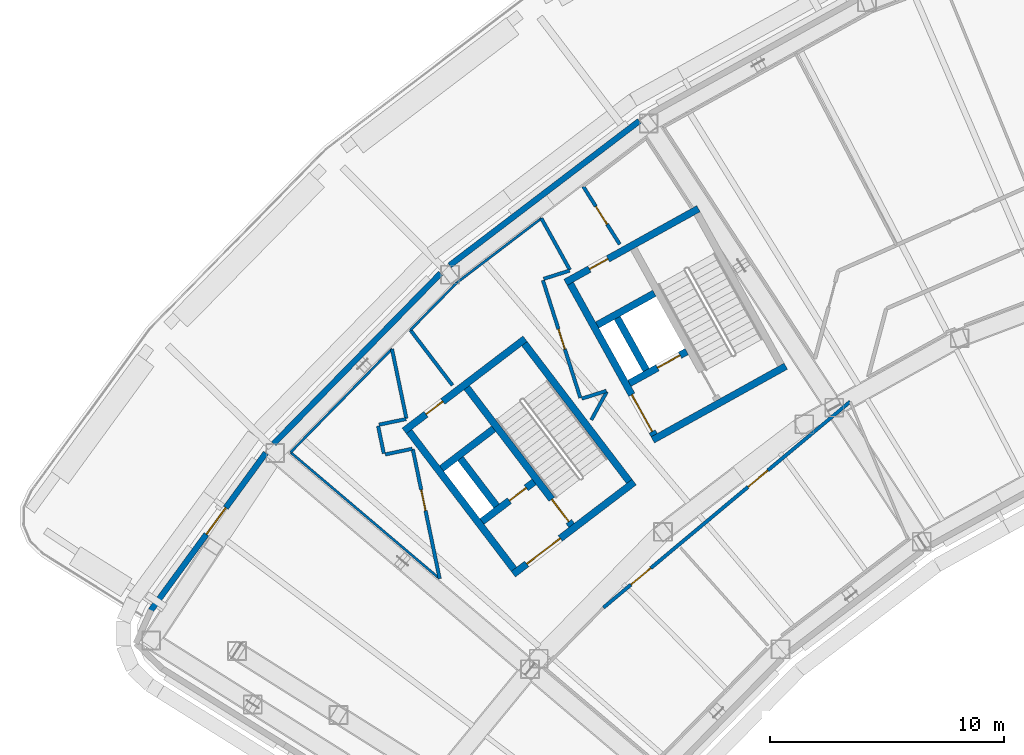
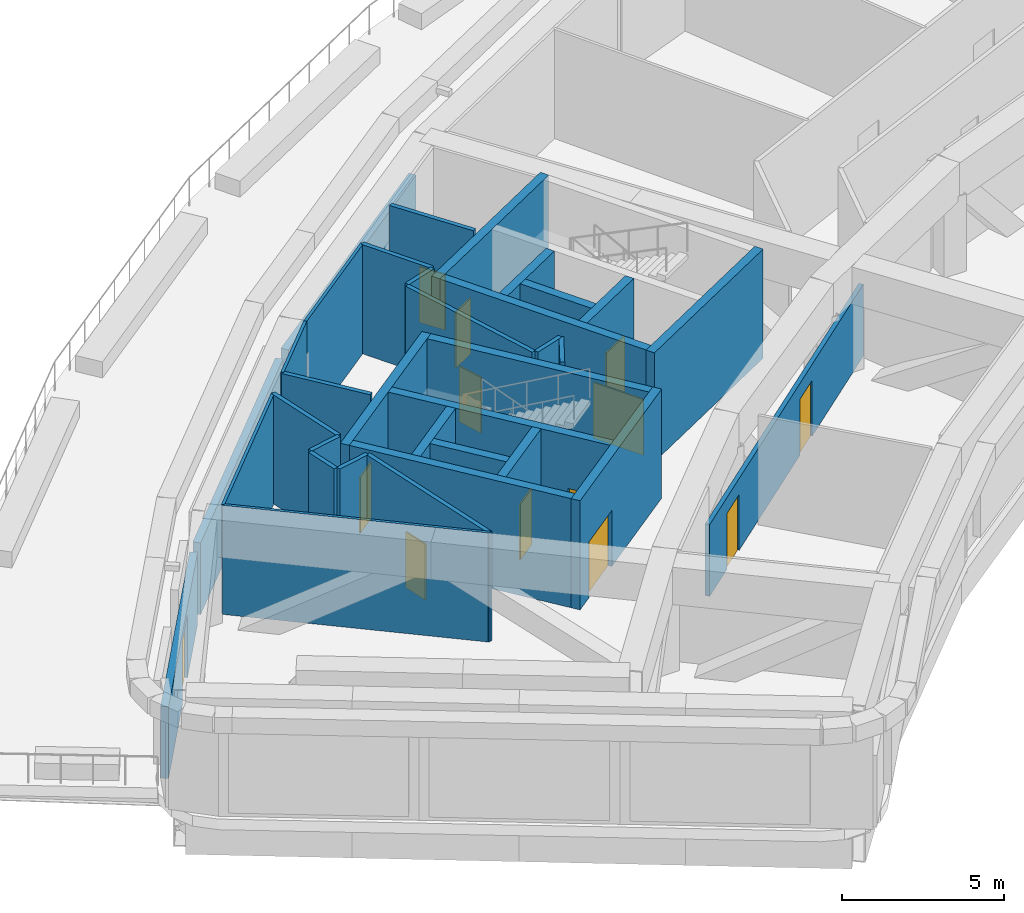
# One storey, part 7 of 24: 34 walls, 13 doors, 13 openings.
"""IFC4 building model written with IfcOpenShell, lengths in metres."""

from ifc_helpers import new_model, si_unit, direction, frame, frame_2d, origin, place, context, subcontext, project, spatial, rectangle, extrude, material, layer, layer_set, type_object, element, fill, save


model = new_model("IFC4")

# Units and contexts
model_context = context("Model", 3, precision=1e-05, world=origin(), true_north=direction((0.0, 1.0)))
body_context = subcontext(model_context, "Body", "Model", "MODEL_VIEW")
ifc_project = project(units=[si_unit("LENGTHUNIT", "METRE"), si_unit("AREAUNIT", "SQUARE_METRE"), si_unit("VOLUMEUNIT", "CUBIC_METRE"), si_unit("PLANEANGLEUNIT", "RADIAN"), si_unit("MASSUNIT", "GRAM", prefix="KILO")], contexts=[model_context])

# Site, building, storey
site_placement = place(None, origin())
site = spatial("IfcSite", under=ifc_project, at=site_placement, CompositionType="ELEMENT")
building_placement = place(site_placement, origin())
building = spatial("IfcBuilding", under=site, at=building_placement, Name="Tuul Gate Civic Tower", CompositionType="ELEMENT")
storey_placement = place(building_placement, frame((0.0, 0.0, 94.800048828125)))
storey = spatial("IfcBuildingStorey", under=building, at=storey_placement, Name="Plant and refuge floor 3", CompositionType="ELEMENT", Elevation=94.800048828125)

# Wall, opening, door
ifc_material_1 = material(Name="Concrete C50/60", Category="concrete")
ifc_layer_1 = layer(ifc_material_1, 0.300048828125)
ifc_layer_set_1 = layer_set([ifc_layer_1], Name="Concrete C50/60")
wall_type_1 = type_object("IfcWallType", Name="Core wall C50/60", PredefinedType="SHEAR", material=ifc_layer_set_1)
wall_1_placement = place(storey_placement, frame((-31.19091796875, -13.669677734375, 0.0), z_axis=(0.0, 0.0, 1.0), x_axis=(-0.795606717756, -0.605813461934, 0.0)))
wall_1 = element("IfcWall", 1, at=wall_1_placement, inside=storey, type_object=wall_type_1, Name="Core wall", PredefinedType="SHEAR", context=body_context, shape_type="SweptSolid", body=[
    extrude(rectangle(XDim=6.5, YDim=0.300048828125, at=frame_2d((3.25, 0.0))), origin(), (0.0, 0.0, 1.0), 4.099853515625),
])
opening_1_placement = place(wall_1_placement, frame((3.97509765625, 0.0, 0.0)))
opening_1 = element("IfcOpeningElement", 2, at=opening_1_placement, cuts=wall_1, Name="Opening LB-W1-LOBBY-1", PredefinedType="OPENING", context=body_context, shape_type="SweptSolid", body=[
    extrude(rectangle(XDim=1.800048828125, YDim=2.10009765625, at=frame_2d((0.89990234375, 1.050048828125))), frame((0.0, 0.16015625, 0.0), z_axis=(0.0, -1.0, 0.0), x_axis=(1.0, 0.0, 0.0)), (0.0, 0.0, 1.0), 0.320068359375),
])
ifc_material_2 = material(Name="Steel", Category="steel")
door_type_1 = type_object("IfcDoorType", Name="Lobby door", OperationType="DOUBLE_DOOR_SINGLE_SWING", PredefinedType="DOOR", material=ifc_material_2)
door_1_placement = place(opening_1_placement, origin())
door_1 = element("IfcDoor", 3, at=door_1_placement, inside=storey, type_object=door_type_1, Name="Lobby door W1-LOBBY", OperationType="DOUBLE_DOOR_SINGLE_SWING", OverallHeight=2.10009765625, OverallWidth=1.800048828125, PredefinedType="DOOR", context=body_context, shape_type="SweptSolid", body=[
    extrude(rectangle(XDim=1.800048828125, YDim=2.10009765625, at=frame_2d((0.89990234375, 1.050048828125))), frame((0.0, 0.02490234375, 0.0), z_axis=(0.0, -1.0, 0.0), x_axis=(1.0, 0.0, 0.0)), (0.0, 0.0, 1.0), 0.050048828125),
])
fill(opening_1, door_1)

wall_2_placement = place(storey_placement, frame((-35.470947265625, -13.66064453125, 0.0), z_axis=(0.0, 0.0, 1.0), x_axis=(-0.795615822227, -0.605801504968, 0.0)))
wall_2 = element("IfcWall", 4, at=wall_2_placement, inside=storey, type_object=wall_type_1, Name="Core wall", PredefinedType="SHEAR", context=body_context, shape_type="SweptSolid", body=[
    extrude(rectangle(XDim=2.800048828125, YDim=0.300048828125, at=frame_2d((1.39990234375, 0.0))), origin(), (0.0, 0.0, 1.0), 4.099853515625),
])
opening_2_placement = place(wall_2_placement, frame((0.425048828125, 0.0, 0.0)))
opening_2 = element("IfcOpeningElement", 5, at=opening_2_placement, cuts=wall_2, Name="Opening FB-W1A1", PredefinedType="OPENING", context=body_context, shape_type="SweptSolid", body=[
    extrude(rectangle(XDim=0.89990234375, YDim=2.10009765625, at=frame_2d((0.449951171875, 1.050048828125))), frame((0.0, 0.16015625, 0.0), z_axis=(0.0, -1.0, 0.0), x_axis=(1.0, 0.0, 0.0)), (0.0, 0.0, 1.0), 0.320068359375),
])
ifc_material_3 = material(Name="Steel", Category="steel")
door_type_2 = type_object("IfcDoorType", Name="Store door", OperationType="NOTDEFINED", PredefinedType="DOOR", material=ifc_material_3)
door_2_placement = place(opening_2_placement, frame((0.89990234375, 0.0, 0.0), z_axis=(0.0, 0.0, 1.0), x_axis=(-1.0, 0.0, 0.0)))
door_2 = element("IfcDoor", 6, at=door_2_placement, inside=storey, type_object=door_type_2, Name="Store door W1A1", OperationType="SINGLE_SWING_RIGHT", OverallHeight=2.10009765625, OverallWidth=0.89990234375, PredefinedType="DOOR", context=body_context, shape_type="SweptSolid", body=[
    extrude(rectangle(XDim=0.89990234375, YDim=2.10009765625, at=frame_2d((0.449951171875, 1.050048828125))), frame((0.0, 0.02490234375, 0.0), z_axis=(0.0, -1.0, 0.0), x_axis=(1.0, 0.0, 0.0)), (0.0, 0.0, 1.0), 0.050048828125),
])
fill(opening_2, door_2)

# Wall
wall_3_placement = place(storey_placement, frame((-37.197509765625, -11.39306640625, 0.0), z_axis=(0.0, 0.0, 1.0), x_axis=(-0.795583820278, -0.605843531707, 0.0)))
element("IfcWall", 7, at=wall_3_placement, inside=storey, type_object=wall_type_1, Name="Core wall", PredefinedType="SHEAR", context=body_context, shape_type="SweptSolid", body=[
    extrude(rectangle(XDim=2.7998046875, YDim=0.300048828125, at=frame_2d((1.39990234375, 0.0))), origin(), (0.0, 0.0, 1.0), 4.099853515625),
])

# Wall, opening, door
wall_4_placement = place(storey_placement, frame((-35.855224609375, -7.543212890625, 0.0), z_axis=(0.0, 0.0, 1.0), x_axis=(-0.79563860527, -0.605771582202, 0.0)))
wall_4 = element("IfcWall", 8, at=wall_4_placement, inside=storey, type_object=wall_type_1, Name="Core wall", PredefinedType="SHEAR", context=body_context, shape_type="SweptSolid", body=[
    extrude(rectangle(XDim=6.5, YDim=0.300048828125, at=frame_2d((3.25, 0.0))), origin(), (0.0, 0.0, 1.0), 4.099853515625),
])
opening_3_placement = place(wall_4_placement, frame((4.425048828125, 0.0, 0.0)))
opening_3 = element("IfcOpeningElement", 9, at=opening_3_placement, cuts=wall_4, Name="Opening PA-D25", PredefinedType="OPENING", context=body_context, shape_type="SweptSolid", body=[
    extrude(rectangle(XDim=0.89990234375, YDim=2.10009765625, at=frame_2d((0.449951171875, 1.050048828125))), frame((0.0, 0.16015625, 0.0), z_axis=(0.0, -1.0, 0.0), x_axis=(1.0, 0.0, 0.0)), (0.0, 0.0, 1.0), 0.320068359375),
])
ifc_material_4 = material(Name="Timber door leaf", Category="wood")
door_type_3 = type_object("IfcDoorType", Name="Door D09", OperationType="NOTDEFINED", PredefinedType="DOOR", material=ifc_material_4)
door_3_placement = place(opening_3_placement, origin())
door_3 = element("IfcDoor", 10, at=door_3_placement, inside=storey, type_object=door_type_3, Name="Door PA-D25", OperationType="SINGLE_SWING_LEFT", OverallHeight=2.10009765625, OverallWidth=0.89990234375, PredefinedType="DOOR", context=body_context, shape_type="SweptSolid", body=[
    extrude(rectangle(XDim=0.89990234375, YDim=2.10009765625, at=frame_2d((0.449951171875, 1.050048828125))), frame((0.0, 0.02490234375, 0.0), z_axis=(0.0, -1.0, 0.0), x_axis=(1.0, 0.0, 0.0)), (0.0, 0.0, 1.0), 0.050048828125),
])
fill(opening_3, door_3)

# Wall
wall_5_placement = place(storey_placement, frame((-31.401123046875, -13.64111328125, 0.0), z_axis=(0.0, 0.0, 1.0), x_axis=(-0.605769822278, 0.795639945213, 0.0)))
element("IfcWall", 11, at=wall_5_placement, inside=storey, type_object=wall_type_1, Name="Core wall", PredefinedType="SHEAR", context=body_context, shape_type="SweptSolid", body=[
    extrude(rectangle(XDim=7.39990234375, YDim=0.300048828125, at=frame_2d((3.699951171875, 0.0))), origin(), (0.0, 0.0, 1.0), 4.099853515625),
])

# Wall, opening, door
wall_6_placement = place(storey_placement, frame((-33.867431640625, -15.51904296875, 0.0), z_axis=(0.0, 0.0, 1.0), x_axis=(-0.605769822278, 0.795639945213, 0.0)))
wall_6 = element("IfcWall", 12, at=wall_6_placement, inside=storey, type_object=wall_type_1, Name="Core wall", PredefinedType="SHEAR", context=body_context, shape_type="SweptSolid", body=[
    extrude(rectangle(XDim=7.39990234375, YDim=0.300048828125, at=frame_2d((3.699951171875, 0.0))), origin(), (0.0, 0.0, 1.0), 4.099853515625),
])
opening_4_placement = place(wall_6_placement, frame((0.199951171875, 0.0, 0.0)))
opening_4 = element("IfcOpeningElement", 13, at=opening_4_placement, cuts=wall_6, Name="Opening SD-ST-1", PredefinedType="OPENING", context=body_context, shape_type="SweptSolid", body=[
    extrude(rectangle(XDim=1.199951171875, YDim=2.10009765625, at=frame_2d((0.60009765625, 1.050048828125))), frame((0.0, 0.16015625, 0.0), z_axis=(0.0, -1.0, 0.0), x_axis=(1.0, 0.0, 0.0)), (0.0, 0.0, 1.0), 0.320068359375),
])
ifc_material_5 = material(Name="Steel", Category="steel")
door_type_4 = type_object("IfcDoorType", Name="Stair door", OperationType="NOTDEFINED", PredefinedType="DOOR", material=ifc_material_5)
door_4_placement = place(opening_4_placement, origin())
door_4 = element("IfcDoor", 14, at=door_4_placement, inside=storey, type_object=door_type_4, Name="Stair door ST-1", OperationType="SINGLE_SWING_LEFT", OverallHeight=2.10009765625, OverallWidth=1.199951171875, PredefinedType="DOOR", context=body_context, shape_type="SweptSolid", body=[
    extrude(rectangle(XDim=1.199951171875, YDim=2.10009765625, at=frame_2d((0.60009765625, 1.050048828125))), frame((0.0, 0.02490234375, 0.0), z_axis=(0.0, -1.0, 0.0), x_axis=(1.0, 0.0, 0.0)), (0.0, 0.0, 1.0), 0.050048828125),
])
fill(opening_4, door_4)

# Walls
wall_7_placement = place(storey_placement, frame((-37.073486328125, -14.6923828125, 0.0), z_axis=(0.0, 0.0, 1.0), x_axis=(-0.605728760074, 0.79567120673, 0.0)))
element("IfcWall", 15, at=wall_7_placement, inside=storey, type_object=wall_type_1, Name="Core wall", PredefinedType="SHEAR", context=body_context, shape_type="SweptSolid", body=[
    extrude(rectangle(XDim=2.550048828125, YDim=0.300048828125, at=frame_2d((1.27490234375, 0.0))), origin(), (0.0, 0.0, 1.0), 4.099853515625),
])
wall_8_placement = place(storey_placement, frame((-36.333984375, -17.397216796875, 0.0), z_axis=(0.0, 0.0, 1.0), x_axis=(-0.605753921168, 0.795652051458, 0.0)))
element("IfcWall", 16, at=wall_8_placement, inside=storey, type_object=wall_type_1, Name="Core wall", PredefinedType="SHEAR", context=body_context, shape_type="SweptSolid", body=[
    extrude(rectangle(XDim=7.400146484375, YDim=0.300048828125, at=frame_2d((3.7001953125, 0.0))), origin(), (0.0, 0.0, 1.0), 4.099853515625),
])
wall_9_placement = place(storey_placement, frame((-24.711669921875, -8.7158203125, 0.0), z_axis=(0.0, 0.0, 1.0), x_axis=(-0.874629909008, -0.484791215132, 0.0)))
element("IfcWall", 17, at=wall_9_placement, inside=storey, type_object=wall_type_1, Name="Core wall", PredefinedType="SHEAR", context=body_context, shape_type="SweptSolid", body=[
    extrude(rectangle(XDim=6.5, YDim=0.300048828125, at=frame_2d((3.25, 0.0))), origin(), (0.0, 0.0, 1.0), 4.099853515625),
])

# Wall, opening, door
wall_10_placement = place(storey_placement, frame((-28.94580078125, -8.090087890625, 0.0), z_axis=(0.0, 0.0, 1.0), x_axis=(-0.874629840737, -0.484791338301, 0.0)))
wall_10 = element("IfcWall", 18, at=wall_10_placement, inside=storey, type_object=wall_type_1, Name="Core wall", PredefinedType="SHEAR", context=body_context, shape_type="SweptSolid", body=[
    extrude(rectangle(XDim=2.800048828125, YDim=0.300048828125, at=frame_2d((1.39990234375, 0.0))), origin(), (0.0, 0.0, 1.0), 4.099853515625),
])
opening_5_placement = place(wall_10_placement, frame((0.324951171875, 0.0, 0.0)))
opening_5 = element("IfcOpeningElement", 19, at=opening_5_placement, cuts=wall_10, Name="Opening LD-FF-1", PredefinedType="OPENING", context=body_context, shape_type="SweptSolid", body=[
    extrude(rectangle(XDim=1.10009765625, YDim=2.10009765625, at=frame_2d((0.550048828125, 1.050048828125))), frame((0.0, 0.16015625, 0.0), z_axis=(0.0, -1.0, 0.0), x_axis=(1.0, 0.0, 0.0)), (0.0, 0.0, 1.0), 0.320068359375),
])
ifc_material_6 = material(Name="Stainless steel", Category="steel")
door_type_5 = type_object("IfcDoorType", Name="Landing door", OperationType="DOUBLE_DOOR_SLIDING", PredefinedType="DOOR", material=ifc_material_6)
door_5_placement = place(opening_5_placement, origin())
door_5 = element("IfcDoor", 20, at=door_5_placement, inside=storey, type_object=door_type_5, Name="Fire-fighting lift FF-1 landing door", OperationType="DOUBLE_DOOR_SLIDING", OverallHeight=2.10009765625, OverallWidth=1.10009765625, PredefinedType="DOOR", context=body_context, shape_type="SweptSolid", body=[
    extrude(rectangle(XDim=1.10009765625, YDim=2.10009765625, at=frame_2d((0.550048828125, 1.050048828125))), frame((0.0, 0.02490234375, 0.0), z_axis=(0.0, -1.0, 0.0), x_axis=(1.0, 0.0, 0.0)), (0.0, 0.0, 1.0), 0.050048828125),
])
fill(opening_5, door_5)

# Wall
wall_11_placement = place(storey_placement, frame((-30.327392578125, -5.59716796875, 0.0), z_axis=(0.0, 0.0, 1.0), x_axis=(-0.874629840737, -0.484791338301, 0.0)))
element("IfcWall", 21, at=wall_11_placement, inside=storey, type_object=wall_type_1, Name="Core wall", PredefinedType="SHEAR", context=body_context, shape_type="SweptSolid", body=[
    extrude(rectangle(XDim=2.800048828125, YDim=0.300048828125, at=frame_2d((1.39990234375, 0.0))), origin(), (0.0, 0.0, 1.0), 4.099853515625),
])

# Wall, opening, door
wall_12_placement = place(storey_placement, frame((-28.4443359375, -1.98095703125, 0.0), z_axis=(0.0, 0.0, 1.0), x_axis=(-0.874629909008, -0.484791215132, 0.0)))
wall_12 = element("IfcWall", 22, at=wall_12_placement, inside=storey, type_object=wall_type_1, Name="Core wall", PredefinedType="SHEAR", context=body_context, shape_type="SweptSolid", body=[
    extrude(rectangle(XDim=6.5, YDim=0.300048828125, at=frame_2d((3.25, 0.0))), origin(), (0.0, 0.0, 1.0), 4.099853515625),
])
opening_6_placement = place(wall_12_placement, frame((4.425048828125, 0.0, 0.0)))
opening_6 = element("IfcOpeningElement", 23, at=opening_6_placement, cuts=wall_12, Name="Opening PA-D26", PredefinedType="OPENING", context=body_context, shape_type="SweptSolid", body=[
    extrude(rectangle(XDim=0.89990234375, YDim=2.10009765625, at=frame_2d((0.449951171875, 1.050048828125))), frame((0.0, 0.16015625, 0.0), z_axis=(0.0, -1.0, 0.0), x_axis=(1.0, 0.0, 0.0)), (0.0, 0.0, 1.0), 0.320068359375),
])
door_6_placement = place(opening_6_placement, origin())
door_6 = element("IfcDoor", 24, at=door_6_placement, inside=storey, type_object=door_type_3, Name="Door PA-D26", OperationType="SINGLE_SWING_LEFT", OverallHeight=2.10009765625, OverallWidth=0.89990234375, PredefinedType="DOOR", context=body_context, shape_type="SweptSolid", body=[
    extrude(rectangle(XDim=0.89990234375, YDim=2.10009765625, at=frame_2d((0.449951171875, 1.050048828125))), frame((0.0, 0.02490234375, 0.0), z_axis=(0.0, -1.0, 0.0), x_axis=(1.0, 0.0, 0.0)), (0.0, 0.0, 1.0), 0.050048828125),
])
fill(opening_6, door_6)

# Wall
wall_13_placement = place(storey_placement, frame((-30.680419921875, -8.8798828125, 0.0), z_axis=(0.0, 0.0, 1.0), x_axis=(-0.484724115216, 0.874667097888, 0.0)))
element("IfcWall", 25, at=wall_13_placement, inside=storey, type_object=wall_type_1, Name="Core wall", PredefinedType="SHEAR", context=body_context, shape_type="SweptSolid", body=[
    extrude(rectangle(XDim=2.550048828125, YDim=0.300048828125, at=frame_2d((1.27490234375, 0.0))), origin(), (0.0, 0.0, 1.0), 4.099853515625),
])

# Wall, opening, door
wall_14_placement = place(storey_placement, frame((-30.33837890625, -11.6630859375, 0.0), z_axis=(0.0, 0.0, 1.0), x_axis=(-0.484751894226, 0.874651702704, 0.0)))
wall_14 = element("IfcWall", 26, at=wall_14_placement, inside=storey, type_object=wall_type_1, Name="Core wall", PredefinedType="SHEAR", context=body_context, shape_type="SweptSolid", body=[
    extrude(rectangle(XDim=7.39990234375, YDim=0.300048828125, at=frame_2d((3.699951171875, 0.0))), origin(), (0.0, 0.0, 1.0), 4.099853515625),
])
opening_7_placement = place(wall_14_placement, frame((0.175048828125, 0.0, 0.0)))
opening_7 = element("IfcOpeningElement", 27, at=opening_7_placement, cuts=wall_14, Name="Opening LB-W2-FLOBBY-1", PredefinedType="OPENING", context=body_context, shape_type="SweptSolid", body=[
    extrude(rectangle(XDim=1.800048828125, YDim=2.10009765625, at=frame_2d((0.89990234375, 1.050048828125))), frame((0.0, 0.16015625, 0.0), z_axis=(0.0, -1.0, 0.0), x_axis=(1.0, 0.0, 0.0)), (0.0, 0.0, 1.0), 0.320068359375),
])
door_7_placement = place(opening_7_placement, frame((1.800048828125, 0.0, 0.0), z_axis=(0.0, 0.0, 1.0), x_axis=(-1.0, 0.0, 0.0)))
door_7 = element("IfcDoor", 28, at=door_7_placement, inside=storey, type_object=door_type_1, Name="Lobby door W2-FLOBBY", OperationType="DOUBLE_DOOR_SINGLE_SWING", OverallHeight=2.10009765625, OverallWidth=1.800048828125, PredefinedType="DOOR", context=body_context, shape_type="SweptSolid", body=[
    extrude(rectangle(XDim=1.800048828125, YDim=2.10009765625, at=frame_2d((0.900146484375, 1.050048828125))), frame((0.0, 0.02490234375, 0.0), z_axis=(0.0, -1.0, 0.0), x_axis=(1.0, 0.0, 0.0)), (0.0, 0.0, 1.0), 0.050048828125),
])
fill(opening_7, door_7)

ifc_material_7 = material(Name="Gypsum board partition")
ifc_layer_2 = layer(ifc_material_7, 0.14990234375)
ifc_layer_set_2 = layer_set([ifc_layer_2], Name="Gypsum board partition")
wall_type_2 = type_object("IfcWallType", Name="Corridor wall P150", PredefinedType="PARTITIONING", material=ifc_layer_set_2)
wall_15_placement = place(storey_placement, frame((-33.369873046875, -1.0302734375, 0.0), z_axis=(0.0, 0.0, 1.0), x_axis=(0.533537336487, -0.845776513373, 0.0)))
wall_15 = element("IfcWall", 29, at=wall_15_placement, inside=storey, type_object=wall_type_2, Name="p005", PredefinedType="PARTITIONING", context=body_context, shape_type="SweptSolid", body=[
    extrude(rectangle(XDim=2.923583984375, YDim=0.14990234375, at=frame_2d((1.4619140625, 0.0))), origin(), (0.0, 0.0, 1.0), 4.099853515625),
])
opening_8_placement = place(wall_15_placement, frame((1.01171875, 0.0, 0.0)))
opening_8 = element("IfcOpeningElement", 30, at=opening_8_placement, cuts=wall_15, Name="Opening PA-D02", PredefinedType="OPENING", context=body_context, shape_type="SweptSolid", body=[
    extrude(rectangle(XDim=0.89990234375, YDim=2.10009765625, at=frame_2d((0.449951171875, 1.050048828125))), frame((0.0, 0.0849609375, 0.0), z_axis=(0.0, -1.0, 0.0), x_axis=(1.0, 0.0, 0.0)), (0.0, 0.0, 1.0), 0.169921875),
])
door_8_placement = place(opening_8_placement, origin())
door_8 = element("IfcDoor", 31, at=door_8_placement, inside=storey, type_object=door_type_3, Name="Door PA-D02", OperationType="SINGLE_SWING_LEFT", OverallHeight=2.10009765625, OverallWidth=0.89990234375, PredefinedType="DOOR", context=body_context, shape_type="SweptSolid", body=[
    extrude(rectangle(XDim=0.89990234375, YDim=2.10009765625, at=frame_2d((0.449951171875, 1.050048828125))), frame((0.0, 0.02490234375, 0.0), z_axis=(0.0, -1.0, 0.0), x_axis=(1.0, 0.0, 0.0)), (0.0, 0.0, 1.0), 0.050048828125),
])
fill(opening_8, door_8)

# Wall
wall_16_placement = place(storey_placement, frame((-35.061279296875, -4.97998046875, 0.0), z_axis=(0.0, 0.0, 1.0), x_axis=(0.95291201744, 0.303246907683, 0.0)))
element("IfcWall", 32, at=wall_16_placement, inside=storey, type_object=wall_type_2, Name="p043", PredefinedType="PARTITIONING", context=body_context, shape_type="SweptSolid", body=[
    extrude(rectangle(XDim=1.1650390625, YDim=0.14990234375, at=frame_2d((0.58251953125, 0.0))), origin(), (0.0, 0.0, 1.0), 4.099853515625),
])

# Wall, opening, door
wall_17_placement = place(storey_placement, frame((-35.093994140625, -5.043212890625, 0.0), z_axis=(0.0, 0.0, 1.0), x_axis=(0.303314447667, -0.952890521433, 0.0)))
wall_17 = element("IfcWall", 33, at=wall_17_placement, inside=storey, type_object=wall_type_2, Name="p044", PredefinedType="PARTITIONING", context=body_context, shape_type="SweptSolid", body=[
    extrude(rectangle(XDim=5.275390625, YDim=0.14990234375, at=frame_2d((2.6376953125, 0.0))), origin(), (0.0, 0.0, 1.0), 4.099853515625),
])
opening_9_placement = place(wall_17_placement, frame((2.187744140625, 0.0, 0.0)))
opening_9 = element("IfcOpeningElement", 34, at=opening_9_placement, cuts=wall_17, Name="Opening PA-D22", PredefinedType="OPENING", context=body_context, shape_type="SweptSolid", body=[
    extrude(rectangle(XDim=0.89990234375, YDim=2.10009765625, at=frame_2d((0.449951171875, 1.050048828125))), frame((0.0, 0.0849609375, 0.0), z_axis=(0.0, -1.0, 0.0), x_axis=(1.0, 0.0, 0.0)), (0.0, 0.0, 1.0), 0.169921875),
])
door_9_placement = place(opening_9_placement, frame((0.89990234375, 0.0, 0.0), z_axis=(0.0, 0.0, 1.0), x_axis=(-1.0, 0.0, 0.0)))
door_9 = element("IfcDoor", 35, at=door_9_placement, inside=storey, type_object=door_type_3, Name="Door PA-D22", OperationType="SINGLE_SWING_LEFT", OverallHeight=2.10009765625, OverallWidth=0.89990234375, PredefinedType="DOOR", context=body_context, shape_type="SweptSolid", body=[
    extrude(rectangle(XDim=0.89990234375, YDim=2.10009765625, at=frame_2d((0.449951171875, 1.050048828125))), frame((0.0, 0.02490234375, 0.0), z_axis=(0.0, -1.0, 0.0), x_axis=(1.0, 0.0, 0.0)), (0.0, 0.0, 1.0), 0.050048828125),
])
fill(opening_9, door_9)

# Walls
wall_18_placement = place(storey_placement, frame((-33.4306640625, -10.1025390625, 0.0), z_axis=(0.0, 0.0, 1.0), x_axis=(0.952911169076, 0.303249573535, 0.0)))
element("IfcWall", 36, at=wall_18_placement, inside=storey, type_object=wall_type_2, Name="p045", PredefinedType="PARTITIONING", context=body_context, shape_type="SweptSolid", body=[
    extrude(rectangle(XDim=1.097412109375, YDim=0.14990234375, at=frame_2d((0.548828125, 0.0))), origin(), (0.0, 0.0, 1.0), 4.099853515625),
])
wall_19_placement = place(storey_placement, frame((-33.025390625, -11.011474609375, 0.0), z_axis=(0.0, 0.0, 1.0), x_axis=(0.480162644013, 0.877179477242, 0.0)))
element("IfcWall", 37, at=wall_19_placement, inside=storey, type_object=wall_type_2, Name="p046", PredefinedType="PARTITIONING", context=body_context, shape_type="SweptSolid", body=[
    extrude(rectangle(XDim=1.383056640625, YDim=0.14990234375, at=frame_2d((0.69140625, 0.0))), origin(), (0.0, 0.0, 1.0), 4.099853515625),
])
wall_20_placement = place(storey_placement, frame((-40.758544921875, -7.170654296875, 0.0), z_axis=(0.0, 0.0, 1.0), x_axis=(0.605909303128, -0.795533730513, 0.0)))
element("IfcWall", 38, at=wall_20_placement, inside=storey, type_object=wall_type_2, Name="p047", PredefinedType="PARTITIONING", context=body_context, shape_type="SweptSolid", body=[
    extrude(rectangle(XDim=2.96630859375, YDim=0.14990234375, at=frame_2d((1.483154296875, 0.0))), origin(), (0.0, 0.0, 1.0), 4.099853515625),
])
wall_21_placement = place(storey_placement, frame((-35.160888671875, -2.39404296875, 0.0), z_axis=(0.0, 0.0, 1.0), x_axis=(0.484680063091, -0.8746915093, 0.0)))
element("IfcWall", 39, at=wall_21_placement, inside=storey, type_object=wall_type_2, Name="p048", PredefinedType="PARTITIONING", context=body_context, shape_type="SweptSolid", body=[
    extrude(rectangle(XDim=2.51953125, YDim=0.14990234375, at=frame_2d((1.259765625, 0.0))), origin(), (0.0, 0.0, 1.0), 4.099853515625),
])
wall_22_placement = place(storey_placement, frame((-42.101806640625, -11.21533203125, 0.0), z_axis=(0.0, 0.0, 1.0), x_axis=(0.97909731232, 0.203392362217, 0.0)))
element("IfcWall", 40, at=wall_22_placement, inside=storey, type_object=wall_type_2, Name="p049", PredefinedType="PARTITIONING", context=body_context, shape_type="SweptSolid", body=[
    extrude(rectangle(XDim=1.179931640625, YDim=0.14990234375, at=frame_2d((0.58984375, 0.0))), origin(), (0.0, 0.0, 1.0), 4.099853515625),
])
wall_23_placement = place(storey_placement, frame((-42.140625, -11.274658203125, 0.0), z_axis=(0.0, 0.0, 1.0), x_axis=(0.203319640349, -0.979112416349, 0.0)))
element("IfcWall", 41, at=wall_23_placement, inside=storey, type_object=wall_type_2, Name="p050", PredefinedType="PARTITIONING", context=body_context, shape_type="SweptSolid", body=[
    extrude(rectangle(XDim=1.198486328125, YDim=0.14990234375, at=frame_2d((0.59912109375, 0.0))), origin(), (0.0, 0.0, 1.0), 4.099853515625),
])
wall_24_placement = place(storey_placement, frame((-41.83740234375, -12.487060546875, 0.0), z_axis=(0.0, 0.0, 1.0), x_axis=(0.979129952364, 0.203235175063, 0.0)))
element("IfcWall", 42, at=wall_24_placement, inside=storey, type_object=wall_type_2, Name="p051", PredefinedType="PARTITIONING", context=body_context, shape_type="SweptSolid", body=[
    extrude(rectangle(XDim=1.1796875, YDim=0.14990234375, at=frame_2d((0.58984375, 0.0))), origin(), (0.0, 0.0, 1.0), 4.099853515625),
])
wall_25_placement = place(storey_placement, frame((-41.548828125, -7.976806640625, 0.0), z_axis=(0.0, 0.0, 1.0), x_axis=(0.203296399093, -0.979117242273, 0.0)))
element("IfcWall", 43, at=wall_25_placement, inside=storey, type_object=wall_type_2, Name="p052", PredefinedType="PARTITIONING", context=body_context, shape_type="SweptSolid", body=[
    extrude(rectangle(XDim=3.038330078125, YDim=0.14990234375, at=frame_2d((1.51904296875, 0.0))), origin(), (0.0, 0.0, 1.0), 4.099853515625),
])

# Wall, opening, door
wall_26_placement = place(storey_placement, frame((-40.65869140625, -12.2626953125, 0.0), z_axis=(0.0, 0.0, 1.0), x_axis=(0.203339008064, -0.979108394305, 0.0)))
wall_26 = element("IfcWall", 44, at=wall_26_placement, inside=storey, type_object=wall_type_2, Name="p053", PredefinedType="PARTITIONING", context=body_context, shape_type="SweptSolid", body=[
    extrude(rectangle(XDim=5.657470703125, YDim=0.14990234375, at=frame_2d((2.82861328125, 0.0))), origin(), (0.0, 0.0, 1.0), 4.099853515625),
])
opening_10_placement = place(wall_26_placement, frame((1.779052734375, 0.0, 0.0)))
opening_10 = element("IfcOpeningElement", 45, at=opening_10_placement, cuts=wall_26, Name="Opening PA-D23", PredefinedType="OPENING", context=body_context, shape_type="SweptSolid", body=[
    extrude(rectangle(XDim=0.89990234375, YDim=2.10009765625, at=frame_2d((0.449951171875, 1.050048828125))), frame((0.0, 0.0849609375, 0.0), z_axis=(0.0, -1.0, 0.0), x_axis=(1.0, 0.0, 0.0)), (0.0, 0.0, 1.0), 0.169921875),
])
door_10_placement = place(opening_10_placement, frame((0.89990234375, 0.0, 0.0), z_axis=(0.0, 0.0, 1.0), x_axis=(-1.0, 0.0, 0.0)))
door_10 = element("IfcDoor", 46, at=door_10_placement, inside=storey, type_object=door_type_3, Name="Door PA-D23", OperationType="SINGLE_SWING_LEFT", OverallHeight=2.10009765625, OverallWidth=0.89990234375, PredefinedType="DOOR", context=body_context, shape_type="SweptSolid", body=[
    extrude(rectangle(XDim=0.89990234375, YDim=2.10009765625, at=frame_2d((0.449951171875, 1.050048828125))), frame((0.0, 0.02490234375, 0.0), z_axis=(0.0, -1.0, 0.0), x_axis=(1.0, 0.0, 0.0)), (0.0, 0.0, 1.0), 0.050048828125),
])
fill(opening_10, door_10)

# Wall, openings, doors
ifc_material_8 = material(Name="Gypsum board partition")
ifc_layer_3 = layer(ifc_material_8, 0.14990234375)
ifc_layer_set_3 = layer_set([ifc_layer_3], Name="Gypsum board partition")
wall_type_3 = type_object("IfcWallType", Name="Corridor wall P150 2700 HIGH", PredefinedType="PARTITIONING", material=ifc_layer_set_3)
wall_27_placement = place(storey_placement, frame((-32.505126953125, -19.037109375, 0.0), z_axis=(0.0, 0.0, 1.0), x_axis=(0.767588762598, 0.640942658537, 0.0)))
wall_27 = element("IfcWall", 47, at=wall_27_placement, inside=storey, type_object=wall_type_3, Name="p042", PredefinedType="PARTITIONING", context=body_context, shape_type="SweptSolid", body=[
    extrude(rectangle(XDim=13.739013671875, YDim=0.14990234375, at=frame_2d((6.86962890625, 0.0))), origin(), (0.0, 0.0, 1.0), 2.699951171875),
])
opening_11_placement = place(wall_27_placement, frame((8.051025390625, 0.0, 0.0)))
opening_11 = element("IfcOpeningElement", 48, at=opening_11_placement, cuts=wall_27, Name="Opening PA-D201", PredefinedType="OPENING", context=body_context, shape_type="SweptSolid", body=[
    extrude(rectangle(XDim=1.10009765625, YDim=2.10009765625, at=frame_2d((0.550048828125, 1.050048828125))), frame((0.0, 0.0849609375, 0.0), z_axis=(0.0, -1.0, 0.0), x_axis=(1.0, 0.0, 0.0)), (0.0, 0.0, 1.0), 0.169921875),
])
opening_12_placement = place(wall_27_placement, frame((1.537841796875, 0.0, 0.0)))
opening_12 = element("IfcOpeningElement", 49, at=opening_12_placement, cuts=wall_27, Name="Opening PA-D21", PredefinedType="OPENING", context=body_context, shape_type="SweptSolid", body=[
    extrude(rectangle(XDim=1.10009765625, YDim=2.10009765625, at=frame_2d((0.550048828125, 1.050048828125))), frame((0.0, 0.0849609375, 0.0), z_axis=(0.0, -1.0, 0.0), x_axis=(1.0, 0.0, 0.0)), (0.0, 0.0, 1.0), 0.169921875),
])
ifc_material_9 = material(Name="Timber door leaf", Category="wood")
door_type_6 = type_object("IfcDoorType", Name="Door D11", OperationType="NOTDEFINED", PredefinedType="DOOR", material=ifc_material_9)
door_11_placement = place(opening_11_placement, frame((1.10009765625, 0.0, 0.0), z_axis=(0.0, 0.0, 1.0), x_axis=(-1.0, 0.0, 0.0)))
door_11 = element("IfcDoor", 50, at=door_11_placement, inside=storey, type_object=door_type_6, Name="Door PA-D20", OperationType="SINGLE_SWING_LEFT", OverallHeight=2.10009765625, OverallWidth=1.10009765625, PredefinedType="DOOR", context=body_context, shape_type="SweptSolid", body=[
    extrude(rectangle(XDim=1.10009765625, YDim=2.10009765625, at=frame_2d((0.550048828125, 1.050048828125))), frame((0.0, 0.02490234375, 0.0), z_axis=(0.0, -1.0, 0.0), x_axis=(1.0, 0.0, 0.0)), (0.0, 0.0, 1.0), 0.050048828125),
])
fill(opening_11, door_11)
door_12_placement = place(opening_12_placement, frame((1.10009765625, 0.0, 0.0), z_axis=(0.0, 0.0, 1.0), x_axis=(-1.0, 0.0, 0.0)))
door_12 = element("IfcDoor", 51, at=door_12_placement, inside=storey, type_object=door_type_6, Name="Door PA-D21", OperationType="SINGLE_SWING_LEFT", OverallHeight=2.10009765625, OverallWidth=1.10009765625, PredefinedType="DOOR", context=body_context, shape_type="SweptSolid", body=[
    extrude(rectangle(XDim=1.10009765625, YDim=2.10009765625, at=frame_2d((0.550048828125, 1.050048828125))), frame((0.0, 0.02490234375, 0.0), z_axis=(0.0, -1.0, 0.0), x_axis=(1.0, 0.0, 0.0)), (0.0, 0.0, 1.0), 0.050048828125),
])
fill(opening_12, door_12)

# Walls
ifc_material_10 = material(Name="Precast concrete C40/50", Category="concrete")
ifc_layer_4 = layer(ifc_material_10, 0.25)
ifc_layer_set_4 = layer_set([ifc_layer_4], Name="Precast concrete C40/50")
wall_type_4 = type_object("IfcWallType", Name="External wall 2700 HIGH", PredefinedType="STANDARD", material=ifc_layer_set_4)
wall_28_placement = place(storey_placement, frame((-30.97412109375, 1.767578125, 0.0), z_axis=(0.0, 0.0, 1.0), x_axis=(-0.795610476584, -0.605808525485, 0.0)))
element("IfcWall", 52, at=wall_28_placement, inside=storey, type_object=wall_type_4, Name="External wall", PredefinedType="STANDARD", context=body_context, shape_type="SweptSolid", body=[
    extrude(rectangle(XDim=10.1875, YDim=0.25, at=frame_2d((5.09375, 0.0))), origin(), (0.0, 0.0, 1.0), 2.699951171875),
])
wall_29_placement = place(storey_placement, frame((-39.468994140625, -4.74853515625, 0.0), z_axis=(0.0, 0.0, 1.0), x_axis=(-0.699994788894, -0.714147950722, 0.0)))
element("IfcWall", 53, at=wall_29_placement, inside=storey, type_object=wall_type_4, Name="External wall", PredefinedType="STANDARD", context=body_context, shape_type="SweptSolid", body=[
    extrude(rectangle(XDim=10.194580078125, YDim=0.25, at=frame_2d((5.09716796875, 0.0))), origin(), (0.0, 0.0, 1.0), 2.699951171875),
])

# Wall, opening, door
wall_30_placement = place(storey_placement, frame((-46.943115234375, -12.426513671875, 0.0), z_axis=(0.0, 0.0, 1.0), x_axis=(-0.589883690879, -0.807488223589, 0.0)))
wall_30 = element("IfcWall", 54, at=wall_30_placement, inside=storey, type_object=wall_type_4, Name="External wall", PredefinedType="STANDARD", context=body_context, shape_type="SweptSolid", body=[
    extrude(rectangle(XDim=8.337158203125, YDim=0.25, at=frame_2d((4.16845703125, 0.0))), origin(), (0.0, 0.0, 1.0), 2.699951171875),
])
opening_13_placement = place(wall_30_placement, frame((2.89990234375, 0.0, 0.0)))
opening_13 = element("IfcOpeningElement", 55, at=opening_13_placement, cuts=wall_30, Name="Opening TD", PredefinedType="OPENING", context=body_context, shape_type="SweptSolid", body=[
    extrude(rectangle(XDim=1.39990234375, YDim=2.39990234375, at=frame_2d((0.699951171875, 1.199951171875))), frame((0.0, 0.135009765625, 0.0), z_axis=(0.0, -1.0, 0.0), x_axis=(1.0, 0.0, 0.0)), (0.0, 0.0, 1.0), 0.27001953125),
])
ifc_material_11 = material(Name="Glazed aluminium", Category="aluminium")
door_type_7 = type_object("IfcDoorType", Name="Terrace door", OperationType="DOUBLE_DOOR_SINGLE_SWING", PredefinedType="DOOR", material=ifc_material_11)
door_13_placement = place(opening_13_placement, origin())
door_13 = element("IfcDoor", 56, at=door_13_placement, inside=storey, type_object=door_type_7, Name="Terrace door", OperationType="DOUBLE_DOOR_SINGLE_SWING", OverallHeight=2.39990234375, OverallWidth=1.39990234375, PredefinedType="DOOR", context=body_context, shape_type="SweptSolid", body=[
    extrude(rectangle(XDim=1.39990234375, YDim=2.39990234375, at=frame_2d((0.699951171875, 1.199951171875))), frame((0.0, 0.02490234375, 0.0), z_axis=(0.0, -1.0, 0.0), x_axis=(1.0, 0.0, 0.0)), (0.0, 0.0, 1.0), 0.050048828125),
])
fill(opening_13, door_13)

# Walls
ifc_material_12 = material(Name="Gypsum board partition")
ifc_layer_5 = layer(ifc_material_12, 0.10009765625)
ifc_layer_set_5 = layer_set([ifc_layer_5], Name="Gypsum board partition")
wall_type_5 = type_object("IfcWallType", Name="Partition P100", PredefinedType="PARTITIONING", material=ifc_layer_set_5)
wall_31_placement = place(storey_placement, frame((-40.758544921875, -7.170654296875, 0.0), z_axis=(0.0, 0.0, 1.0), x_axis=(0.699979445011, 0.714162990194, 0.0)))
element("IfcWall", 57, at=wall_31_placement, inside=storey, type_object=wall_type_5, Name="p116", PredefinedType="PARTITIONING", context=body_context, shape_type="SweptSolid", body=[
    extrude(rectangle(XDim=2.840087890625, YDim=0.10009765625, at=frame_2d((1.419921875, 0.0))), origin(), (0.0, 0.0, 1.0), 4.099853515625),
])
wall_32_placement = place(storey_placement, frame((-38.7705078125, -5.142333984375, 0.0), z_axis=(0.0, 0.0, 1.0), x_axis=(0.795633032922, 0.605778901022, 0.0)))
element("IfcWall", 58, at=wall_32_placement, inside=storey, type_object=wall_type_5, Name="p117", PredefinedType="PARTITIONING", context=body_context, shape_type="SweptSolid", body=[
    extrude(rectangle(XDim=4.536865234375, YDim=0.10009765625, at=frame_2d((2.2685546875, 0.0))), origin(), (0.0, 0.0, 1.0), 4.099853515625),
])
wall_33_placement = place(storey_placement, frame((-39.50830078125, -17.802001953125, 0.0), z_axis=(0.0, 0.0, 1.0), x_axis=(-0.76282305988, 0.646607283686, 0.0)))
element("IfcWall", 59, at=wall_33_placement, inside=storey, type_object=wall_type_5, Name="p118", PredefinedType="PARTITIONING", context=body_context, shape_type="SweptSolid", body=[
    extrude(rectangle(XDim=8.356689453125, YDim=0.10009765625, at=frame_2d((4.17822265625, 0.0))), origin(), (0.0, 0.0, 1.0), 4.099853515625),
])
wall_34_placement = place(storey_placement, frame((-45.883056640625, -12.3984375, 0.0), z_axis=(0.0, 0.0, 1.0), x_axis=(0.700013456835, 0.714129652269, 0.0)))
element("IfcWall", 60, at=wall_34_placement, inside=storey, type_object=wall_type_5, Name="p119", PredefinedType="PARTITIONING", context=body_context, shape_type="SweptSolid", body=[
    extrude(rectangle(XDim=6.191650390625, YDim=0.10009765625, at=frame_2d((3.095703125, 0.0))), origin(), (0.0, 0.0, 1.0), 4.099853515625),
])

save(model, "model.ifc")
